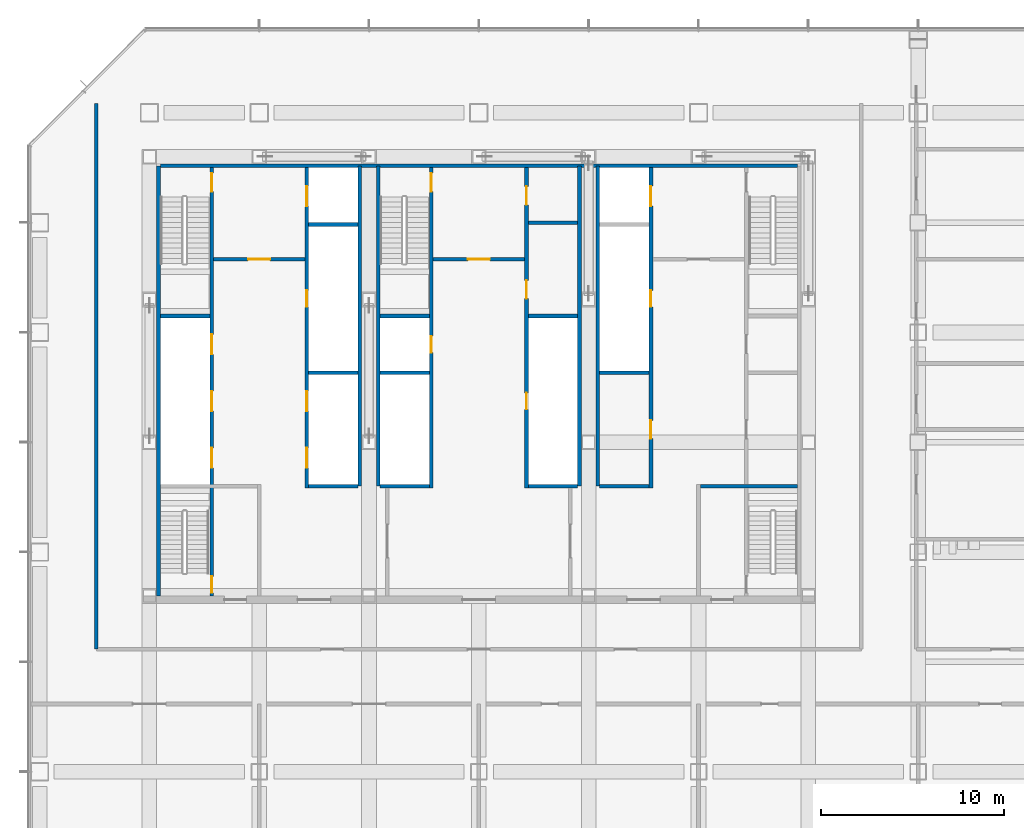
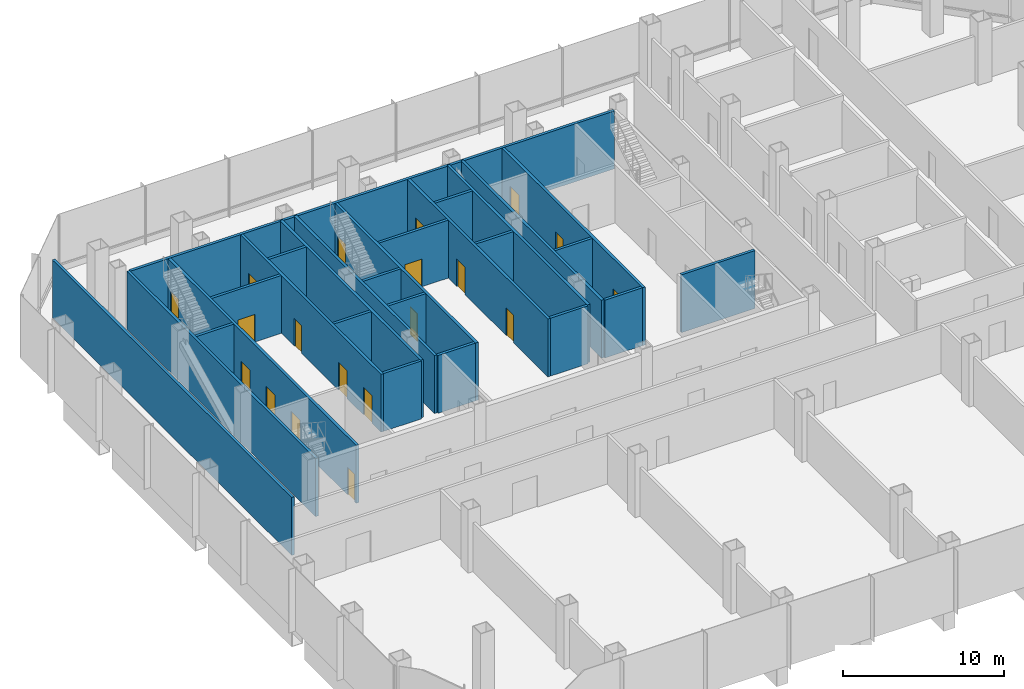
# One storey, part 23 of 34: 27 walls, 19 doors, 19 openings.
"""IFC4 building model written with IfcOpenShell, lengths in metres."""

from ifc_helpers import new_model, si_unit, direction, frame, frame_2d, origin, place, context, subcontext, project, spatial, rectangle, extrude, material, layer, layer_set, type_object, element, fill, save


model = new_model("IFC4")

# Units and contexts
model_context = context("Model", 3, precision=1e-05, world=origin(), true_north=direction((0.0, 1.0)))
body_context = subcontext(model_context, "Body", "Model", "MODEL_VIEW")
ifc_project = project(units=[si_unit("LENGTHUNIT", "METRE"), si_unit("AREAUNIT", "SQUARE_METRE"), si_unit("VOLUMEUNIT", "CUBIC_METRE"), si_unit("PLANEANGLEUNIT", "RADIAN"), si_unit("MASSUNIT", "GRAM", prefix="KILO")], contexts=[model_context])

# Site, building, storey
site_placement = place(None, origin())
site = spatial("IfcSite", under=ifc_project, at=site_placement, CompositionType="ELEMENT")
building_placement = place(site_placement, origin())
building = spatial("IfcBuilding", under=site, at=building_placement, Name="Sorahane Residences", CompositionType="ELEMENT")
storey_placement = place(building_placement, frame((0.0, 0.0, 20.39990234375)))
storey = spatial("IfcBuildingStorey", under=building, at=storey_placement, Name="L02", CompositionType="ELEMENT", Elevation=20.39990234375)

# Walls
ifc_material_1 = material(Name="Concrete C30", Category="concrete")
ifc_layer_1 = layer(ifc_material_1, 0.199951171875)
ifc_layer_set_1 = layer_set([ifc_layer_1], Name="Core face wall 200 EI 180")
wall_type_1 = type_object("IfcWallType", Name="Core face wall 200 EI 180", PredefinedType="SOLIDWALL", material=ifc_layer_set_1)
wall_1_placement = place(storey_placement, frame((6.5, 21.60009765625, 0.0), z_axis=(0.0, 0.0, 1.0), x_axis=(0.0, 1.0, 0.0)))
element("IfcWall", 1, at=wall_1_placement, inside=storey, type_object=wall_type_1, Name="L02 core face wall", PredefinedType="SOLIDWALL", context=body_context, shape_type="SweptSolid", body=[
    extrude(rectangle(XDim=23.5, YDim=0.199951171875, at=frame_2d((11.75, 0.0))), origin(), (0.0, 0.0, 1.0), 4.400146484375),
])
wall_2_placement = place(storey_placement, frame((6.60009765625, 45.10009765625, 0.0), z_axis=(0.0, 0.0, 1.0), x_axis=(1.0, 0.0, 0.0)))
element("IfcWall", 2, at=wall_2_placement, inside=storey, type_object=wall_type_1, Name="L02 core face wall", PredefinedType="SOLIDWALL", context=body_context, shape_type="SweptSolid", body=[
    extrude(rectangle(XDim=34.7998046875, YDim=0.199951171875, at=frame_2d((17.39990234375, 0.0))), origin(), (0.0, 0.0, 1.0), 4.400146484375),
])
for number, where, z_axis, x_axis, name in (
    (3, (17.5, 27.60009765625, 0.0), (0.0, 0.0, 1.0), (0.0, 1.0, 0.0), "L02 core face wall"),
    (4, (18.5, 27.60009765625, 0.0), (0.0, 0.0, 1.0), (0.0, 1.0, 0.0), "L02 core face wall"),
    (5, (29.5, 27.60009765625, 0.0), (0.0, 0.0, 1.0), (0.0, 1.0, 0.0), "L02 core face wall"),
    (6, (30.5, 27.60009765625, 0.0), (0.0, 0.0, 1.0), (0.0, 1.0, 0.0), "L02 core face wall"),
):
    element("IfcWall", number, at=place(storey_placement, frame(where, z_axis=z_axis, x_axis=x_axis)), inside=storey, type_object=wall_type_1, Name=name, PredefinedType="SOLIDWALL", context=body_context, shape_type="SweptSolid", body=[
        extrude(rectangle(XDim=17.5, YDim=0.199951171875, at=frame_2d((8.75, 0.0))), origin(), (0.0, 0.0, 1.0), 4.400146484375),
    ])
ifc_material_2 = material(Name="Concrete blockwork C20 wall", Category="masonry")
ifc_layer_2 = layer(ifc_material_2, 0.199951171875)
ifc_layer_set_2 = layer_set([ifc_layer_2], Name="Corridor wall 200 EI 120")
wall_type_2 = type_object("IfcWallType", Name="Corridor wall 200 EI 120", PredefinedType="SOLIDWALL", material=ifc_layer_set_2)
wall_3_placement = place(storey_placement, frame((3.10009765625, 18.699951171875, 0.0), z_axis=(0.0, 0.0, 1.0), x_axis=(0.0, 1.0, 0.0)))
element("IfcWall", 7, at=wall_3_placement, inside=storey, type_object=wall_type_2, Name="L02 corridor wall", PredefinedType="SOLIDWALL", context=body_context, shape_type="SweptSolid", body=[
    extrude(rectangle(XDim=29.800048828125, YDim=0.199951171875, at=frame_2d((14.89990234375, 0.0))), origin(), (0.0, 0.0, 1.0), 4.400146484375),
])

# Wall, opening, door
ifc_material_3 = material(Name="Concrete C30", Category="concrete")
ifc_layer_3 = layer(ifc_material_3, 0.199951171875)
ifc_layer_set_3 = layer_set([ifc_layer_3], Name="Front room wall 200 EI 120")
wall_type_3 = type_object("IfcWallType", Name="Front room wall 200 EI 120", PredefinedType="PARTITIONING", material=ifc_layer_set_3)
wall_4_placement = place(storey_placement, frame((21.5, 40.0, 0.0), z_axis=(0.0, 0.0, 1.0), x_axis=(1.0, 0.0, 0.0)))
wall_4 = element("IfcWall", 8, at=wall_4_placement, inside=storey, type_object=wall_type_3, Name="L02 front room wall", PredefinedType="PARTITIONING", context=body_context, shape_type="SweptSolid", body=[
    extrude(rectangle(XDim=5.0, YDim=0.199951171875, at=frame_2d((2.5, 0.0))), origin(), (0.0, 0.0, 1.0), 4.400146484375),
])
opening_1_placement = place(wall_4_placement, frame((1.89990234375, 0.0, 0.0)))
opening_1 = element("IfcOpeningElement", 9, at=opening_1_placement, cuts=wall_4, Name="Opening L02-C09", PredefinedType="OPENING", context=body_context, shape_type="SweptSolid", body=[
    extrude(rectangle(XDim=1.199951171875, YDim=2.10009765625, at=frame_2d((0.60009765625, 1.050048828125))), frame((0.0, 0.10986328125, 0.0), z_axis=(0.0, -1.0, 0.0), x_axis=(1.0, 0.0, 0.0)), (0.0, 0.0, 1.0), 0.219970703125),
])
ifc_material_4 = material(Name="Steel", Category="steel")
door_type_1 = type_object("IfcDoorType", Name="Front room door 1200x2100 FD120", OperationType="NOTDEFINED", PredefinedType="DOOR", material=ifc_material_4)
door_1_placement = place(opening_1_placement, frame((1.199951171875, 0.0, 0.0), z_axis=(0.0, 0.0, 1.0), x_axis=(-1.0, 0.0, 0.0)))
door_1 = element("IfcDoor", 10, at=door_1_placement, inside=storey, type_object=door_type_1, Name="Front room door Stair S3 vestibule L02", OperationType="DOUBLE_DOOR_SINGLE_SWING", OverallHeight=2.10009765625, OverallWidth=1.199951171875, PredefinedType="DOOR", context=body_context, shape_type="SweptSolid", body=[
    extrude(rectangle(XDim=1.199951171875, YDim=2.10009765625, at=frame_2d((0.60009765625, 1.050048828125))), frame((0.0, 0.02490234375, 0.0), z_axis=(0.0, -1.0, 0.0), x_axis=(1.0, 0.0, 0.0)), (0.0, 0.0, 1.0), 0.050048828125),
])
fill(opening_1, door_1)

wall_5_placement = place(storey_placement, frame((9.5, 40.0, 0.0), z_axis=(0.0, 0.0, 1.0), x_axis=(1.0, 0.0, 0.0)))
wall_5 = element("IfcWall", 11, at=wall_5_placement, inside=storey, type_object=wall_type_3, Name="L02 front room wall", PredefinedType="PARTITIONING", context=body_context, shape_type="SweptSolid", body=[
    extrude(rectangle(XDim=5.0, YDim=0.199951171875, at=frame_2d((2.5, 0.0))), origin(), (0.0, 0.0, 1.0), 4.400146484375),
])
opening_2_placement = place(wall_5_placement, frame((1.89990234375, 0.0, 0.0)))
opening_2 = element("IfcOpeningElement", 12, at=opening_2_placement, cuts=wall_5, Name="Opening L02-C08", PredefinedType="OPENING", context=body_context, shape_type="SweptSolid", body=[
    extrude(rectangle(XDim=1.199951171875, YDim=2.10009765625, at=frame_2d((0.60009765625, 1.050048828125))), frame((0.0, 0.10986328125, 0.0), z_axis=(0.0, -1.0, 0.0), x_axis=(1.0, 0.0, 0.0)), (0.0, 0.0, 1.0), 0.219970703125),
])
door_2_placement = place(opening_2_placement, frame((1.199951171875, 0.0, 0.0), z_axis=(0.0, 0.0, 1.0), x_axis=(-1.0, 0.0, 0.0)))
door_2 = element("IfcDoor", 13, at=door_2_placement, inside=storey, type_object=door_type_1, Name="Front room door Firefighting lobby FF1 front room L02", OperationType="DOUBLE_DOOR_SINGLE_SWING", OverallHeight=2.10009765625, OverallWidth=1.199951171875, PredefinedType="DOOR", context=body_context, shape_type="SweptSolid", body=[
    extrude(rectangle(XDim=1.199951171875, YDim=2.10009765625, at=frame_2d((0.60009765625, 1.050048828125))), frame((0.0, 0.02490234375, 0.0), z_axis=(0.0, -1.0, 0.0), x_axis=(1.0, 0.0, 0.0)), (0.0, 0.0, 1.0), 0.050048828125),
])
fill(opening_2, door_2)

# Wall, openings, doors
ifc_material_5 = material(Name="Concrete C30", Category="concrete")
ifc_layer_4 = layer(ifc_material_5, 0.199951171875)
ifc_layer_set_4 = layer_set([ifc_layer_4], Name="Lift shaft wall 200 EI 120")
wall_type_4 = type_object("IfcWallType", Name="Lift shaft wall 200 EI 120", PredefinedType="SOLIDWALL", material=ifc_layer_set_4)
wall_6_placement = place(storey_placement, frame((14.60009765625, 27.5, 0.0), z_axis=(0.0, 0.0, 1.0), x_axis=(0.0, 1.0, 0.0)))
wall_6 = element("IfcWall", 14, at=wall_6_placement, inside=storey, type_object=wall_type_4, Name="L02 lift shaft wall", PredefinedType="SOLIDWALL", context=body_context, shape_type="SweptSolid", body=[
    extrude(rectangle(XDim=17.5, YDim=0.199951171875, at=frame_2d((8.75, 0.0))), origin(), (0.0, 0.0, 1.0), 4.400146484375),
])
opening_3_placement = place(wall_6_placement, frame((1.10009765625, 0.0, 0.0)))
opening_3 = element("IfcOpeningElement", 15, at=opening_3_placement, cuts=wall_6, Name="Opening L02-C12", PredefinedType="OPENING", context=body_context, shape_type="SweptSolid", body=[
    extrude(rectangle(XDim=1.10009765625, YDim=2.10009765625, at=frame_2d((0.550048828125, 1.050048828125))), frame((0.0, 0.10986328125, 0.0), z_axis=(0.0, -1.0, 0.0), x_axis=(1.0, 0.0, 0.0)), (0.0, 0.0, 1.0), 0.219970703125),
])
opening_4_placement = place(wall_6_placement, frame((4.199951171875, 0.0, 0.0)))
opening_4 = element("IfcOpeningElement", 16, at=opening_4_placement, cuts=wall_6, Name="Opening L02-C13", PredefinedType="OPENING", context=body_context, shape_type="SweptSolid", body=[
    extrude(rectangle(XDim=1.10009765625, YDim=2.10009765625, at=frame_2d((0.550048828125, 1.050048828125))), frame((0.0, 0.10986328125, 0.0), z_axis=(0.0, -1.0, 0.0), x_axis=(1.0, 0.0, 0.0)), (0.0, 0.0, 1.0), 0.219970703125),
])
opening_5_placement = place(wall_6_placement, frame((15.39990234375, 0.0, 0.0)))
opening_5 = element("IfcOpeningElement", 17, at=opening_5_placement, cuts=wall_6, Name="Opening L02-C14", PredefinedType="OPENING", context=body_context, shape_type="SweptSolid", body=[
    extrude(rectangle(XDim=1.10009765625, YDim=2.10009765625, at=frame_2d((0.550048828125, 1.050048828125))), frame((0.0, 0.10986328125, 0.0), z_axis=(0.0, -1.0, 0.0), x_axis=(1.0, 0.0, 0.0)), (0.0, 0.0, 1.0), 0.219970703125),
])
opening_6_placement = place(wall_6_placement, frame((9.89990234375, 0.0, 0.0)))
opening_6 = element("IfcOpeningElement", 18, at=opening_6_placement, cuts=wall_6, Name="Opening L02-C26", PredefinedType="OPENING", context=body_context, shape_type="SweptSolid", body=[
    extrude(rectangle(XDim=0.89990234375, YDim=2.10009765625, at=frame_2d((0.449951171875, 1.050048828125))), frame((0.0, 0.10986328125, 0.0), z_axis=(0.0, -1.0, 0.0), x_axis=(1.0, 0.0, 0.0)), (0.0, 0.0, 1.0), 0.219970703125),
])
ifc_material_6 = material(Name="Aluminium and stainless steel", Category="steel")
door_type_2 = type_object("IfcDoorType", Name="Lift landing door 1100x2100 E 60", OperationType="NOTDEFINED", PredefinedType="DOOR", material=ifc_material_6)
door_3_placement = place(opening_3_placement, origin())
door_3 = element("IfcDoor", 19, at=door_3_placement, inside=storey, type_object=door_type_2, Name="Lift landing door LR4 L02", OperationType="DOUBLE_DOOR_SLIDING", OverallHeight=2.10009765625, OverallWidth=1.10009765625, PredefinedType="DOOR", context=body_context, shape_type="SweptSolid", body=[
    extrude(rectangle(XDim=1.10009765625, YDim=2.10009765625, at=frame_2d((0.550048828125, 1.050048828125))), frame((0.0, 0.02490234375, 0.0), z_axis=(0.0, -1.0, 0.0), x_axis=(1.0, 0.0, 0.0)), (0.0, 0.0, 1.0), 0.050048828125),
])
fill(opening_3, door_3)
door_4_placement = place(opening_4_placement, origin())
door_4 = element("IfcDoor", 20, at=door_4_placement, inside=storey, type_object=door_type_2, Name="Lift landing door LR5 L02", OperationType="DOUBLE_DOOR_SLIDING", OverallHeight=2.10009765625, OverallWidth=1.10009765625, PredefinedType="DOOR", context=body_context, shape_type="SweptSolid", body=[
    extrude(rectangle(XDim=1.10009765625, YDim=2.10009765625, at=frame_2d((0.550048828125, 1.050048828125))), frame((0.0, 0.02490234375, 0.0), z_axis=(0.0, -1.0, 0.0), x_axis=(1.0, 0.0, 0.0)), (0.0, 0.0, 1.0), 0.050048828125),
])
fill(opening_4, door_4)
door_5_placement = place(opening_5_placement, origin())
door_5 = element("IfcDoor", 21, at=door_5_placement, inside=storey, type_object=door_type_2, Name="Lift landing door FF1 L02", OperationType="DOUBLE_DOOR_SLIDING", OverallHeight=2.10009765625, OverallWidth=1.10009765625, PredefinedType="DOOR", context=body_context, shape_type="SweptSolid", body=[
    extrude(rectangle(XDim=1.10009765625, YDim=2.10009765625, at=frame_2d((0.550048828125, 1.050048828125))), frame((0.0, 0.02490234375, 0.0), z_axis=(0.0, -1.0, 0.0), x_axis=(1.0, 0.0, 0.0)), (0.0, 0.0, 1.0), 0.050048828125),
])
fill(opening_5, door_5)
ifc_material_7 = material(Name="Steel", Category="steel")
door_type_3 = type_object("IfcDoorType", Name="Riser door 900x2100 FD120", OperationType="NOTDEFINED", PredefinedType="DOOR", material=ifc_material_7)
door_6_placement = place(opening_6_placement, origin())
door_6 = element("IfcDoor", 22, at=door_6_placement, inside=storey, type_object=door_type_3, Name="Riser door R1 L02", OperationType="SINGLE_SWING_LEFT", OverallHeight=2.10009765625, OverallWidth=0.89990234375, PredefinedType="DOOR", context=body_context, shape_type="SweptSolid", body=[
    extrude(rectangle(XDim=0.89990234375, YDim=2.10009765625, at=frame_2d((0.449951171875, 1.050048828125))), frame((0.0, 0.02490234375, 0.0), z_axis=(0.0, -1.0, 0.0), x_axis=(1.0, 0.0, 0.0)), (0.0, 0.0, 1.0), 0.050048828125),
])
fill(opening_6, door_6)

wall_7_placement = place(storey_placement, frame((33.39990234375, 27.5, 0.0), z_axis=(0.0, 0.0, 1.0), x_axis=(0.0, 1.0, 0.0)))
wall_7 = element("IfcWall", 23, at=wall_7_placement, inside=storey, type_object=wall_type_4, Name="L02 lift shaft wall", PredefinedType="SOLIDWALL", context=body_context, shape_type="SweptSolid", body=[
    extrude(rectangle(XDim=17.5, YDim=0.199951171875, at=frame_2d((8.75, 0.0))), origin(), (0.0, 0.0, 1.0), 4.400146484375),
])
opening_7_placement = place(wall_7_placement, frame((15.39990234375, 0.0, 0.0)))
opening_7 = element("IfcOpeningElement", 24, at=opening_7_placement, cuts=wall_7, Name="Opening L02-C11", PredefinedType="OPENING", context=body_context, shape_type="SweptSolid", body=[
    extrude(rectangle(XDim=1.10009765625, YDim=2.10009765625, at=frame_2d((0.550048828125, 1.050048828125))), frame((0.0, 0.10986328125, 0.0), z_axis=(0.0, -1.0, 0.0), x_axis=(1.0, 0.0, 0.0)), (0.0, 0.0, 1.0), 0.219970703125),
])
opening_8_placement = place(wall_7_placement, frame((2.699951171875, 0.0, 0.0)))
opening_8 = element("IfcOpeningElement", 25, at=opening_8_placement, cuts=wall_7, Name="Opening L02-C20", PredefinedType="OPENING", context=body_context, shape_type="SweptSolid", body=[
    extrude(rectangle(XDim=1.0, YDim=2.10009765625, at=frame_2d((0.5, 1.050048828125))), frame((0.0, 0.10986328125, 0.0), z_axis=(0.0, -1.0, 0.0), x_axis=(1.0, 0.0, 0.0)), (0.0, 0.0, 1.0), 0.219970703125),
])
opening_9_placement = place(wall_7_placement, frame((9.89990234375, 0.0, 0.0)))
opening_9 = element("IfcOpeningElement", 26, at=opening_9_placement, cuts=wall_7, Name="Opening L02-C27", PredefinedType="OPENING", context=body_context, shape_type="SweptSolid", body=[
    extrude(rectangle(XDim=0.89990234375, YDim=2.10009765625, at=frame_2d((0.449951171875, 1.050048828125))), frame((0.0, 0.10986328125, 0.0), z_axis=(0.0, -1.0, 0.0), x_axis=(1.0, 0.0, 0.0)), (0.0, 0.0, 1.0), 0.219970703125),
])
door_7_placement = place(opening_7_placement, origin())
door_7 = element("IfcDoor", 27, at=door_7_placement, inside=storey, type_object=door_type_2, Name="Lift landing door FF2 L02", OperationType="DOUBLE_DOOR_SLIDING", OverallHeight=2.10009765625, OverallWidth=1.10009765625, PredefinedType="DOOR", context=body_context, shape_type="SweptSolid", body=[
    extrude(rectangle(XDim=1.10009765625, YDim=2.10009765625, at=frame_2d((0.550048828125, 1.050048828125))), frame((0.0, 0.02490234375, 0.0), z_axis=(0.0, -1.0, 0.0), x_axis=(1.0, 0.0, 0.0)), (0.0, 0.0, 1.0), 0.050048828125),
])
fill(opening_7, door_7)
door_8_placement = place(opening_9_placement, frame((0.89990234375, 0.0, 0.0), z_axis=(0.0, 0.0, 1.0), x_axis=(-1.0, 0.0, 0.0)))
door_8 = element("IfcDoor", 28, at=door_8_placement, inside=storey, type_object=door_type_3, Name="Riser door R2 L02", OperationType="SINGLE_SWING_LEFT", OverallHeight=2.10009765625, OverallWidth=0.89990234375, PredefinedType="DOOR", context=body_context, shape_type="SweptSolid", body=[
    extrude(rectangle(XDim=0.89990234375, YDim=2.10009765625, at=frame_2d((0.449951171875, 1.050048828125))), frame((0.0, 0.02490234375, 0.0), z_axis=(0.0, -1.0, 0.0), x_axis=(1.0, 0.0, 0.0)), (0.0, 0.0, 1.0), 0.050048828125),
])
fill(opening_9, door_8)
ifc_material_8 = material(Name="Steel", Category="steel")
door_type_4 = type_object("IfcDoorType", Name="Service room door 1000x2100 FD60", OperationType="NOTDEFINED", PredefinedType="DOOR", material=ifc_material_8)
door_9_placement = place(opening_8_placement, origin())
door_9 = element("IfcDoor", 29, at=door_9_placement, inside=storey, type_object=door_type_4, Name="Service room door Cinema room L02", OperationType="SINGLE_SWING_RIGHT", OverallHeight=2.10009765625, OverallWidth=1.0, PredefinedType="DOOR", context=body_context, shape_type="SweptSolid", body=[
    extrude(rectangle(XDim=1.0, YDim=2.10009765625, at=frame_2d((0.5, 1.050048828125))), frame((0.0, 0.02490234375, 0.0), z_axis=(0.0, -1.0, 0.0), x_axis=(1.0, 0.0, 0.0)), (0.0, 0.0, 1.0), 0.050048828125),
])
fill(opening_8, door_9)

# Walls
for number, where, z_axis, x_axis, name in (
    (30, (14.699951171875, 27.60009765625, 0.0), (0.0, 0.0, 1.0), (1.0, 0.0, 0.0), "L02 lift shaft wall"),
    (31, (18.60009765625, 27.60009765625, 0.0), (0.0, 0.0, 1.0), (1.0, 0.0, 0.0), "L02 lift shaft wall"),
    (32, (14.699951171875, 33.800048828125, 0.0), (0.0, 0.0, 1.0), (1.0, 0.0, 0.0), "L02 lift shaft wall"),
    (33, (18.60009765625, 33.800048828125, 0.0), (0.0, 0.0, 1.0), (1.0, 0.0, 0.0), "L02 lift shaft wall"),
    (34, (14.699951171875, 41.89990234375, 0.0), (0.0, 0.0, 1.0), (1.0, 0.0, 0.0), "L02 lift shaft wall"),
):
    element("IfcWall", number, at=place(storey_placement, frame(where, z_axis=z_axis, x_axis=x_axis)), inside=storey, type_object=wall_type_4, Name=name, PredefinedType="SOLIDWALL", context=body_context, shape_type="SweptSolid", body=[
        extrude(rectangle(XDim=2.699951171875, YDim=0.199951171875, at=frame_2d((1.35009765625, 0.0))), origin(), (0.0, 0.0, 1.0), 4.400146484375),
    ])

# Wall, openings, doors
ifc_material_9 = material(Name="Concrete C30", Category="concrete")
ifc_layer_5 = layer(ifc_material_9, 0.199951171875)
ifc_layer_set_5 = layer_set([ifc_layer_5], Name="Riser shaft wall 200 EI 120")
wall_type_5 = type_object("IfcWallType", Name="Riser shaft wall 200 EI 120", PredefinedType="SOLIDWALL", material=ifc_layer_set_5)
wall_8_placement = place(storey_placement, frame((26.60009765625, 27.5, 0.0), z_axis=(0.0, 0.0, 1.0), x_axis=(0.0, 1.0, 0.0)))
wall_8 = element("IfcWall", 35, at=wall_8_placement, inside=storey, type_object=wall_type_5, Name="L02 riser wall", PredefinedType="SOLIDWALL", context=body_context, shape_type="SweptSolid", body=[
    extrude(rectangle(XDim=17.5, YDim=0.199951171875, at=frame_2d((8.75, 0.0))), origin(), (0.0, 0.0, 1.0), 4.400146484375),
])
opening_10_placement = place(wall_8_placement, frame((4.300048828125, 0.0, 0.0)))
opening_10 = element("IfcOpeningElement", 36, at=opening_10_placement, cuts=wall_8, Name="Opening L02-C29", PredefinedType="OPENING", context=body_context, shape_type="SweptSolid", body=[
    extrude(rectangle(XDim=0.89990234375, YDim=2.10009765625, at=frame_2d((0.449951171875, 1.050048828125))), frame((0.0, 0.10986328125, 0.0), z_axis=(0.0, -1.0, 0.0), x_axis=(1.0, 0.0, 0.0)), (0.0, 0.0, 1.0), 0.219970703125),
])
opening_11_placement = place(wall_8_placement, frame((10.35009765625, 0.0, 0.0)))
opening_11 = element("IfcOpeningElement", 37, at=opening_11_placement, cuts=wall_8, Name="Opening L02-C30", PredefinedType="OPENING", context=body_context, shape_type="SweptSolid", body=[
    extrude(rectangle(XDim=1.0, YDim=2.10009765625, at=frame_2d((0.5, 1.050048828125))), frame((0.0, 0.10986328125, 0.0), z_axis=(0.0, -1.0, 0.0), x_axis=(1.0, 0.0, 0.0)), (0.0, 0.0, 1.0), 0.219970703125),
])
opening_12_placement = place(wall_8_placement, frame((15.47509765625, 0.0, 0.0)))
opening_12 = element("IfcOpeningElement", 38, at=opening_12_placement, cuts=wall_8, Name="Opening L02-C31", PredefinedType="OPENING", context=body_context, shape_type="SweptSolid", body=[
    extrude(rectangle(XDim=1.0, YDim=2.10009765625, at=frame_2d((0.5, 1.050048828125))), frame((0.0, 0.10986328125, 0.0), z_axis=(0.0, -1.0, 0.0), x_axis=(1.0, 0.0, 0.0)), (0.0, 0.0, 1.0), 0.219970703125),
])
door_10_placement = place(opening_10_placement, origin())
door_10 = element("IfcDoor", 39, at=door_10_placement, inside=storey, type_object=door_type_3, Name="Riser door R4 L02", OperationType="SINGLE_SWING_LEFT", OverallHeight=2.10009765625, OverallWidth=0.89990234375, PredefinedType="DOOR", context=body_context, shape_type="SweptSolid", body=[
    extrude(rectangle(XDim=0.89990234375, YDim=2.10009765625, at=frame_2d((0.449951171875, 1.050048828125))), frame((0.0, 0.02490234375, 0.0), z_axis=(0.0, -1.0, 0.0), x_axis=(1.0, 0.0, 0.0)), (0.0, 0.0, 1.0), 0.050048828125),
])
fill(opening_10, door_10)
door_11_placement = place(opening_11_placement, frame((1.0, 0.0, 0.0), z_axis=(0.0, 0.0, 1.0), x_axis=(-1.0, 0.0, 0.0)))
door_11 = element("IfcDoor", 40, at=door_11_placement, inside=storey, type_object=door_type_4, Name="Service room door Parcel room L02", OperationType="SINGLE_SWING_LEFT", OverallHeight=2.10009765625, OverallWidth=1.0, PredefinedType="DOOR", context=body_context, shape_type="SweptSolid", body=[
    extrude(rectangle(XDim=1.0, YDim=2.10009765625, at=frame_2d((0.5, 1.050048828125))), frame((0.0, 0.02490234375, 0.0), z_axis=(0.0, -1.0, 0.0), x_axis=(1.0, 0.0, 0.0)), (0.0, 0.0, 1.0), 0.050048828125),
])
fill(opening_11, door_11)
door_12_placement = place(opening_12_placement, frame((1.0, 0.0, 0.0), z_axis=(0.0, 0.0, 1.0), x_axis=(-1.0, 0.0, 0.0)))
door_12 = element("IfcDoor", 41, at=door_12_placement, inside=storey, type_object=door_type_4, Name="Service room door Refuse room L02", OperationType="SINGLE_SWING_RIGHT", OverallHeight=2.10009765625, OverallWidth=1.0, PredefinedType="DOOR", context=body_context, shape_type="SweptSolid", body=[
    extrude(rectangle(XDim=1.0, YDim=2.10009765625, at=frame_2d((0.5, 1.050048828125))), frame((0.0, 0.02490234375, 0.0), z_axis=(0.0, -1.0, 0.0), x_axis=(1.0, 0.0, 0.0)), (0.0, 0.0, 1.0), 0.050048828125),
])
fill(opening_12, door_12)

# Walls
for number, where, z_axis, x_axis, name in (
    (42, (26.699951171875, 27.60009765625, 0.0), (0.0, 0.0, 1.0), (1.0, 0.0, 0.0), "L02 riser wall"),
    (43, (30.60009765625, 33.800048828125, 0.0), (0.0, 0.0, 1.0), (1.0, 0.0, 0.0), "L02 riser wall"),
    (44, (26.699951171875, 36.89990234375, 0.0), (0.0, 0.0, 1.0), (1.0, 0.0, 0.0), "L02 riser wall"),
):
    element("IfcWall", number, at=place(storey_placement, frame(where, z_axis=z_axis, x_axis=x_axis)), inside=storey, type_object=wall_type_5, Name=name, PredefinedType="SOLIDWALL", context=body_context, shape_type="SweptSolid", body=[
        extrude(rectangle(XDim=2.699951171875, YDim=0.199951171875, at=frame_2d((1.35009765625, 0.0))), origin(), (0.0, 0.0, 1.0), 4.400146484375),
    ])
ifc_material_10 = material(Name="Concrete C30", Category="concrete")
ifc_layer_6 = layer(ifc_material_10, 0.199951171875)
ifc_layer_set_6 = layer_set([ifc_layer_6], Name="Service room partition 200 EI 60")
wall_type_6 = type_object("IfcWallType", Name="Service room partition 200 EI 60", PredefinedType="PARTITIONING", material=ifc_layer_set_6)
for number, where, z_axis, x_axis, name in (
    (45, (30.60009765625, 27.60009765625, 0.0), (0.0, 0.0, 1.0), (1.0, 0.0, 0.0), "L02 service room wall"),
    (46, (26.699951171875, 42.0, 0.0), (0.0, 0.0, 1.0), (1.0, 0.0, 0.0), "L02 service room wall"),
):
    element("IfcWall", number, at=place(storey_placement, frame(where, z_axis=z_axis, x_axis=x_axis)), inside=storey, type_object=wall_type_6, Name=name, PredefinedType="PARTITIONING", context=body_context, shape_type="SweptSolid", body=[
        extrude(rectangle(XDim=2.699951171875, YDim=0.199951171875, at=frame_2d((1.35009765625, 0.0))), origin(), (0.0, 0.0, 1.0), 4.400146484375),
    ])

# Wall, openings, doors
ifc_material_11 = material(Name="Concrete C30", Category="concrete")
ifc_layer_7 = layer(ifc_material_11, 0.199951171875)
ifc_layer_set_7 = layer_set([ifc_layer_7], Name="Stair enclosure wall 200 EI 120")
wall_type_7 = type_object("IfcWallType", Name="Stair enclosure wall 200 EI 120", PredefinedType="SOLIDWALL", material=ifc_layer_set_7)
wall_9_placement = place(storey_placement, frame((21.39990234375, 27.5, 0.0), z_axis=(0.0, 0.0, 1.0), x_axis=(0.0, 1.0, 0.0)))
wall_9 = element("IfcWall", 47, at=wall_9_placement, inside=storey, type_object=wall_type_7, Name="L02 stair enclosure wall", PredefinedType="SOLIDWALL", context=body_context, shape_type="SweptSolid", body=[
    extrude(rectangle(XDim=17.5, YDim=0.199951171875, at=frame_2d((8.75, 0.0))), origin(), (0.0, 0.0, 1.0), 4.400146484375),
])
opening_13_placement = place(wall_9_placement, frame((16.199951171875, 0.0, 0.0)))
opening_13 = element("IfcOpeningElement", 48, at=opening_13_placement, cuts=wall_9, Name="Opening L02-C23", PredefinedType="OPENING", context=body_context, shape_type="SweptSolid", body=[
    extrude(rectangle(XDim=1.0, YDim=2.10009765625, at=frame_2d((0.5, 1.050048828125))), frame((0.0, 0.10986328125, 0.0), z_axis=(0.0, -1.0, 0.0), x_axis=(1.0, 0.0, 0.0)), (0.0, 0.0, 1.0), 0.219970703125),
])
opening_14_placement = place(wall_9_placement, frame((7.39990234375, 0.0, 0.0)))
opening_14 = element("IfcOpeningElement", 49, at=opening_14_placement, cuts=wall_9, Name="Opening L02-C28", PredefinedType="OPENING", context=body_context, shape_type="SweptSolid", body=[
    extrude(rectangle(XDim=0.89990234375, YDim=2.10009765625, at=frame_2d((0.449951171875, 1.050048828125))), frame((0.0, 0.10986328125, 0.0), z_axis=(0.0, -1.0, 0.0), x_axis=(1.0, 0.0, 0.0)), (0.0, 0.0, 1.0), 0.219970703125),
])
door_13_placement = place(opening_14_placement, frame((0.89990234375, 0.0, 0.0), z_axis=(0.0, 0.0, 1.0), x_axis=(-1.0, 0.0, 0.0)))
door_13 = element("IfcDoor", 50, at=door_13_placement, inside=storey, type_object=door_type_3, Name="Riser door R3 L02", OperationType="SINGLE_SWING_LEFT", OverallHeight=2.10009765625, OverallWidth=0.89990234375, PredefinedType="DOOR", context=body_context, shape_type="SweptSolid", body=[
    extrude(rectangle(XDim=0.89990234375, YDim=2.10009765625, at=frame_2d((0.449951171875, 1.050048828125))), frame((0.0, 0.02490234375, 0.0), z_axis=(0.0, -1.0, 0.0), x_axis=(1.0, 0.0, 0.0)), (0.0, 0.0, 1.0), 0.050048828125),
])
fill(opening_14, door_13)
ifc_material_12 = material(Name="Steel", Category="steel")
door_type_5 = type_object("IfcDoorType", Name="Stair door 1000x2100 FD120", OperationType="NOTDEFINED", PredefinedType="DOOR", material=ifc_material_12)
door_14_placement = place(opening_13_placement, origin())
door_14 = element("IfcDoor", 51, at=door_14_placement, inside=storey, type_object=door_type_5, Name="Stair door S3 L02", OperationType="SINGLE_SWING_LEFT", OverallHeight=2.10009765625, OverallWidth=1.0, PredefinedType="DOOR", context=body_context, shape_type="SweptSolid", body=[
    extrude(rectangle(XDim=1.0, YDim=2.10009765625, at=frame_2d((0.5, 1.050048828125))), frame((0.0, 0.02490234375, 0.0), z_axis=(0.0, -1.0, 0.0), x_axis=(1.0, 0.0, 0.0)), (0.0, 0.0, 1.0), 0.050048828125),
])
fill(opening_13, door_14)

wall_10_placement = place(storey_placement, frame((9.39990234375, 21.60009765625, 0.0), z_axis=(0.0, 0.0, 1.0), x_axis=(0.0, 1.0, 0.0)))
wall_10 = element("IfcWall", 52, at=wall_10_placement, inside=storey, type_object=wall_type_7, Name="L02 stair enclosure wall", PredefinedType="SOLIDWALL", context=body_context, shape_type="SweptSolid", body=[
    extrude(rectangle(XDim=23.39990234375, YDim=0.199951171875, at=frame_2d((11.699951171875, 0.0))), origin(), (0.0, 0.0, 1.0), 4.400146484375),
])
opening_15_placement = place(wall_10_placement, frame((7.0, 0.0, 0.0)))
opening_15 = element("IfcOpeningElement", 53, at=opening_15_placement, cuts=wall_10, Name="Opening L02-C15", PredefinedType="OPENING", context=body_context, shape_type="SweptSolid", body=[
    extrude(rectangle(XDim=1.10009765625, YDim=2.10009765625, at=frame_2d((0.550048828125, 1.050048828125))), frame((0.0, 0.10986328125, 0.0), z_axis=(0.0, -1.0, 0.0), x_axis=(1.0, 0.0, 0.0)), (0.0, 0.0, 1.0), 0.219970703125),
])
opening_16_placement = place(wall_10_placement, frame((10.10009765625, 0.0, 0.0)))
opening_16 = element("IfcOpeningElement", 54, at=opening_16_placement, cuts=wall_10, Name="Opening L02-C16", PredefinedType="OPENING", context=body_context, shape_type="SweptSolid", body=[
    extrude(rectangle(XDim=1.10009765625, YDim=2.10009765625, at=frame_2d((0.550048828125, 1.050048828125))), frame((0.0, 0.10986328125, 0.0), z_axis=(0.0, -1.0, 0.0), x_axis=(1.0, 0.0, 0.0)), (0.0, 0.0, 1.0), 0.219970703125),
])
opening_17_placement = place(wall_10_placement, frame((13.199951171875, 0.0, 0.0)))
opening_17 = element("IfcOpeningElement", 55, at=opening_17_placement, cuts=wall_10, Name="Opening L02-C17", PredefinedType="OPENING", context=body_context, shape_type="SweptSolid", body=[
    extrude(rectangle(XDim=1.10009765625, YDim=2.10009765625, at=frame_2d((0.550048828125, 1.050048828125))), frame((0.0, 0.10986328125, 0.0), z_axis=(0.0, -1.0, 0.0), x_axis=(1.0, 0.0, 0.0)), (0.0, 0.0, 1.0), 0.219970703125),
])
opening_18_placement = place(wall_10_placement, frame((22.10009765625, 0.0, 0.0)))
opening_18 = element("IfcOpeningElement", 56, at=opening_18_placement, cuts=wall_10, Name="Opening L02-C21", PredefinedType="OPENING", context=body_context, shape_type="SweptSolid", body=[
    extrude(rectangle(XDim=1.0, YDim=2.10009765625, at=frame_2d((0.5, 1.050048828125))), frame((0.0, 0.10986328125, 0.0), z_axis=(0.0, -1.0, 0.0), x_axis=(1.0, 0.0, 0.0)), (0.0, 0.0, 1.0), 0.219970703125),
])
opening_19_placement = place(wall_10_placement, frame((0.175048828125, 0.0, 0.0)))
opening_19 = element("IfcOpeningElement", 57, at=opening_19_placement, cuts=wall_10, Name="Opening L02-C24", PredefinedType="OPENING", context=body_context, shape_type="SweptSolid", body=[
    extrude(rectangle(XDim=0.89990234375, YDim=2.10009765625, at=frame_2d((0.449951171875, 1.050048828125))), frame((0.0, 0.10986328125, 0.0), z_axis=(0.0, -1.0, 0.0), x_axis=(1.0, 0.0, 0.0)), (0.0, 0.0, 1.0), 0.219970703125),
])
door_15_placement = place(opening_15_placement, origin())
door_15 = element("IfcDoor", 58, at=door_15_placement, inside=storey, type_object=door_type_2, Name="Lift landing door LR1 L02", OperationType="DOUBLE_DOOR_SLIDING", OverallHeight=2.10009765625, OverallWidth=1.10009765625, PredefinedType="DOOR", context=body_context, shape_type="SweptSolid", body=[
    extrude(rectangle(XDim=1.10009765625, YDim=2.10009765625, at=frame_2d((0.550048828125, 1.050048828125))), frame((0.0, 0.02490234375, 0.0), z_axis=(0.0, -1.0, 0.0), x_axis=(1.0, 0.0, 0.0)), (0.0, 0.0, 1.0), 0.050048828125),
])
fill(opening_15, door_15)
door_16_placement = place(opening_16_placement, origin())
door_16 = element("IfcDoor", 59, at=door_16_placement, inside=storey, type_object=door_type_2, Name="Lift landing door LR2 L02", OperationType="DOUBLE_DOOR_SLIDING", OverallHeight=2.10009765625, OverallWidth=1.10009765625, PredefinedType="DOOR", context=body_context, shape_type="SweptSolid", body=[
    extrude(rectangle(XDim=1.10009765625, YDim=2.10009765625, at=frame_2d((0.550048828125, 1.050048828125))), frame((0.0, 0.02490234375, 0.0), z_axis=(0.0, -1.0, 0.0), x_axis=(1.0, 0.0, 0.0)), (0.0, 0.0, 1.0), 0.050048828125),
])
fill(opening_16, door_16)
door_17_placement = place(opening_17_placement, origin())
door_17 = element("IfcDoor", 60, at=door_17_placement, inside=storey, type_object=door_type_2, Name="Lift landing door LR3 L02", OperationType="DOUBLE_DOOR_SLIDING", OverallHeight=2.10009765625, OverallWidth=1.10009765625, PredefinedType="DOOR", context=body_context, shape_type="SweptSolid", body=[
    extrude(rectangle(XDim=1.10009765625, YDim=2.10009765625, at=frame_2d((0.550048828125, 1.050048828125))), frame((0.0, 0.02490234375, 0.0), z_axis=(0.0, -1.0, 0.0), x_axis=(1.0, 0.0, 0.0)), (0.0, 0.0, 1.0), 0.050048828125),
])
fill(opening_17, door_17)
door_18_placement = place(opening_18_placement, origin())
door_18 = element("IfcDoor", 61, at=door_18_placement, inside=storey, type_object=door_type_5, Name="Stair door S1 L02", OperationType="SINGLE_SWING_LEFT", OverallHeight=2.10009765625, OverallWidth=1.0, PredefinedType="DOOR", context=body_context, shape_type="SweptSolid", body=[
    extrude(rectangle(XDim=1.0, YDim=2.10009765625, at=frame_2d((0.5, 1.050048828125))), frame((0.0, 0.02490234375, 0.0), z_axis=(0.0, -1.0, 0.0), x_axis=(1.0, 0.0, 0.0)), (0.0, 0.0, 1.0), 0.050048828125),
])
fill(opening_18, door_18)
ifc_material_13 = material(Name="Steel", Category="steel")
door_type_6 = type_object("IfcDoorType", Name="Stair door 900x2100 FD120", OperationType="NOTDEFINED", PredefinedType="DOOR", material=ifc_material_13)
door_19_placement = place(opening_19_placement, origin())
door_19 = element("IfcDoor", 62, at=door_19_placement, inside=storey, type_object=door_type_6, Name="Stair door S4 L02", OperationType="SINGLE_SWING_LEFT", OverallHeight=2.10009765625, OverallWidth=0.89990234375, PredefinedType="DOOR", context=body_context, shape_type="SweptSolid", body=[
    extrude(rectangle(XDim=0.89990234375, YDim=2.10009765625, at=frame_2d((0.449951171875, 1.050048828125))), frame((0.0, 0.02490234375, 0.0), z_axis=(0.0, -1.0, 0.0), x_axis=(1.0, 0.0, 0.0)), (0.0, 0.0, 1.0), 0.050048828125),
])
fill(opening_19, door_19)

# Walls
wall_11_placement = place(storey_placement, frame((36.10009765625, 27.60009765625, 0.0), z_axis=(0.0, 0.0, 1.0), x_axis=(1.0, 0.0, 0.0)))
element("IfcWall", 63, at=wall_11_placement, inside=storey, type_object=wall_type_7, Name="L02 stair enclosure wall", PredefinedType="SOLIDWALL", context=body_context, shape_type="SweptSolid", body=[
    extrude(rectangle(XDim=5.2998046875, YDim=0.199951171875, at=frame_2d((2.64990234375, 0.0))), origin(), (0.0, 0.0, 1.0), 4.400146484375),
])
for number, where, z_axis, x_axis, name in (
    (64, (18.60009765625, 36.89990234375, 0.0), (0.0, 0.0, 1.0), (1.0, 0.0, 0.0), "L02 stair enclosure wall"),
    (65, (6.60009765625, 36.89990234375, 0.0), (0.0, 0.0, 1.0), (1.0, 0.0, 0.0), "L02 stair enclosure wall"),
):
    element("IfcWall", number, at=place(storey_placement, frame(where, z_axis=z_axis, x_axis=x_axis)), inside=storey, type_object=wall_type_7, Name=name, PredefinedType="SOLIDWALL", context=body_context, shape_type="SweptSolid", body=[
        extrude(rectangle(XDim=2.699951171875, YDim=0.199951171875, at=frame_2d((1.35009765625, 0.0))), origin(), (0.0, 0.0, 1.0), 4.400146484375),
    ])

save(model, "model.ifc")
